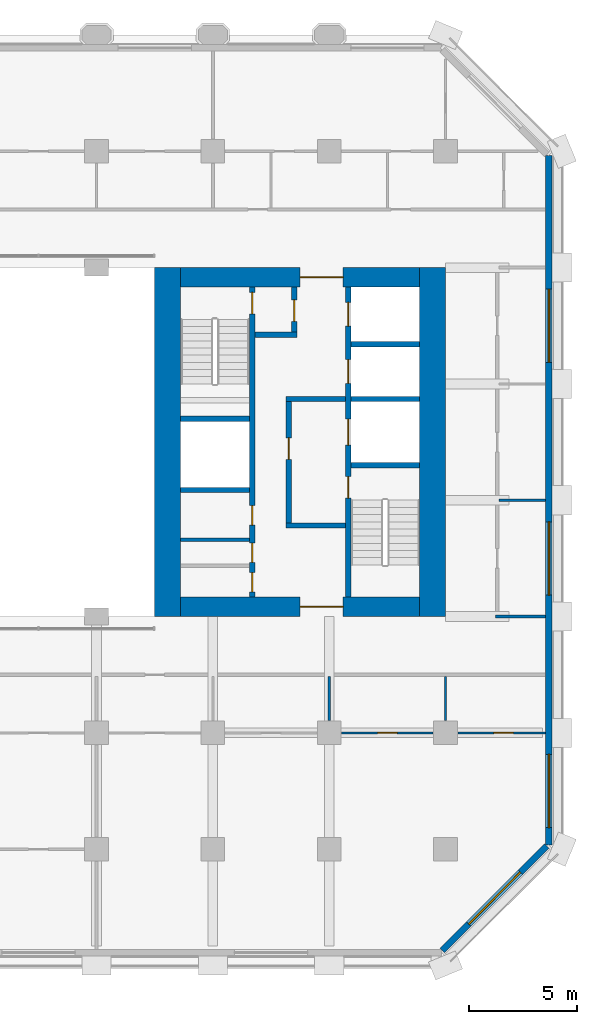
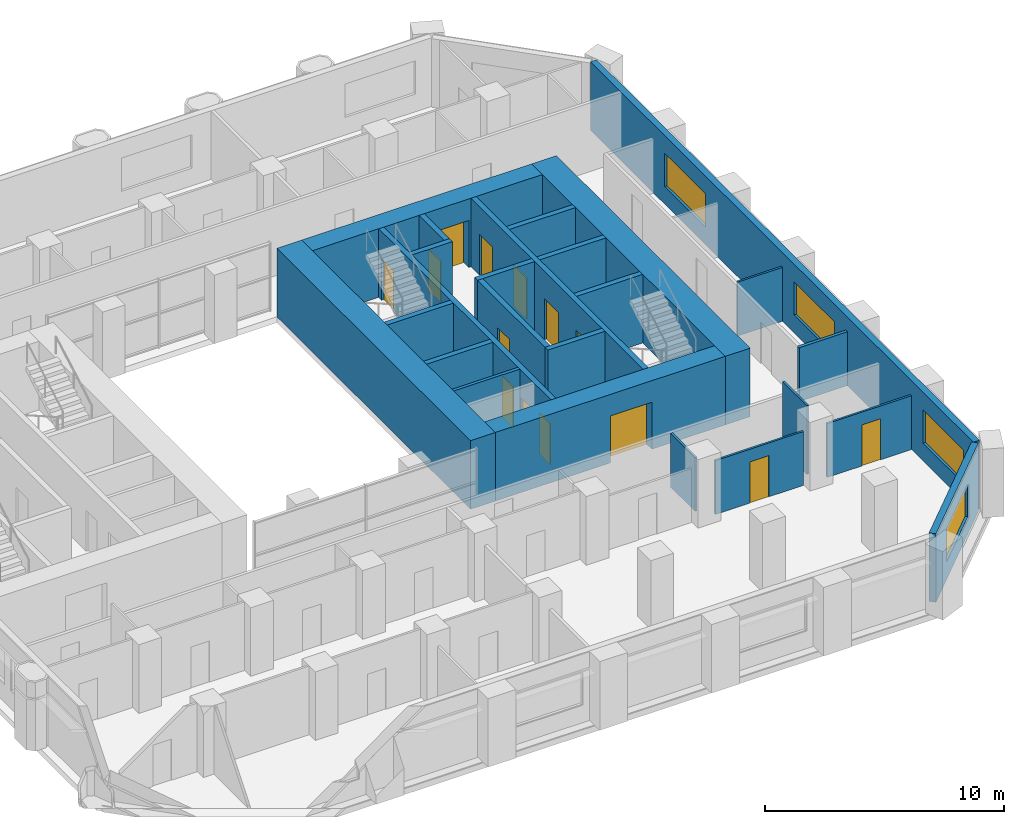
# One storey, part 9 of 13: 25 walls, 14 doors, 4 windows, 18 openings.
"""IFC4 building model written with IfcOpenShell, lengths in metres."""

from ifc_helpers import new_model, si_unit, direction, frame, frame_2d, origin, place, context, subcontext, project, spatial, rectangle, extrude, material, layer, layer_set, type_object, element, fill, save


model = new_model("IFC4")

# Units and contexts
model_context = context("Model", 3, precision=1e-05, world=origin(), true_north=direction((0.0, 1.0)))
body_context = subcontext(model_context, "Body", "Model", "MODEL_VIEW")
ifc_project = project(units=[si_unit("LENGTHUNIT", "METRE"), si_unit("AREAUNIT", "SQUARE_METRE"), si_unit("VOLUMEUNIT", "CUBIC_METRE"), si_unit("PLANEANGLEUNIT", "RADIAN"), si_unit("MASSUNIT", "GRAM", prefix="KILO")], contexts=[model_context])

# Site, building, storey
site_placement = place(None, origin())
site = spatial("IfcSite", under=ifc_project, at=site_placement, CompositionType="ELEMENT")
building_placement = place(site_placement, origin())
building = spatial("IfcBuilding", under=site, at=building_placement, Name="Tabaq Tower and Sports Hall", CompositionType="ELEMENT")
storey_placement = place(building_placement, frame((0.0, 0.0, 48.800048828125)))
storey = spatial("IfcBuildingStorey", under=building, at=storey_placement, Name="L10", CompositionType="ELEMENT", Elevation=48.800048828125)

# Walls
ifc_material_1 = material(Name="Blockwork", Category="masonry")
ifc_layer_1 = layer(ifc_material_1, 0.14990234375)
ifc_layer_set_1 = layer_set([ifc_layer_1], Name="Core room partition 150 Blockwork")
wall_type_1 = type_object("IfcWallType", Name="Core room partition 150 Blockwork", PredefinedType="PARTITIONING", material=ifc_layer_set_1)
wall_1_placement = place(storey_placement, frame((30.89990234375, 19.76708984375, 0.0), z_axis=(0.0, 0.0, 1.0), x_axis=(1.0, 0.0, 0.0)))
element("IfcWall", 1, at=wall_1_placement, inside=storey, type_object=wall_type_1, Name="Core room partition E L10", PredefinedType="PARTITIONING", context=body_context, shape_type="SweptSolid", body=[
    extrude(rectangle(XDim=3.2001953125, YDim=0.14990234375, at=frame_2d((1.60009765625, 0.0))), origin(), (0.0, 0.0, 1.0), 3.5),
])
ifc_material_2 = material(Name="Concrete C60/75", Category="concrete")
ifc_layer_2 = layer(ifc_material_2, 1.199951171875)
ifc_layer_set_2 = layer_set([ifc_layer_2], Name="Core wall 1200 Concrete C60/75")
wall_type_2 = type_object("IfcWallType", Name="Core wall 1200 Concrete C60/75", PredefinedType="SOLIDWALL", material=ifc_layer_set_2)
for number, where, z_axis, x_axis, name in (
    (2, (42.60009765625, 32.39990234375, 0.0), (0.0, 0.0, 1.0), (0.0, -1.0, 0.0), "Core wall E L10"),
    (3, (30.300048828125, 16.199951171875, 0.0), (0.0, 0.0, 1.0), (0.0, 1.0, 0.0), "Core wall E L10"),
):
    element("IfcWall", number, at=place(storey_placement, frame(where, z_axis=z_axis, x_axis=x_axis)), inside=storey, type_object=wall_type_2, Name=name, PredefinedType="SOLIDWALL", context=body_context, shape_type="SweptSolid", body=[
        extrude(rectangle(XDim=16.199951171875, YDim=1.199951171875, at=frame_2d((8.10009765625, 0.0))), origin(), (0.0, 0.0, 1.0), 3.5),
    ])

# Wall, opening, door
ifc_material_3 = material(Name="Concrete C60/75", Category="concrete")
ifc_layer_3 = layer(ifc_material_3, 0.89990234375)
ifc_layer_set_3 = layer_set([ifc_layer_3], Name="Core wall 900 Concrete C60/75")
wall_type_3 = type_object("IfcWallType", Name="Core wall 900 Concrete C60/75", PredefinedType="SOLIDWALL", material=ifc_layer_set_3)
wall_2_placement = place(storey_placement, frame((42.0, 16.64990234375, 0.0), z_axis=(0.0, 0.0, 1.0), x_axis=(-1.0, 0.0, 0.0)))
wall_2 = element("IfcWall", 4, at=wall_2_placement, inside=storey, type_object=wall_type_3, Name="Core wall E L10", PredefinedType="SOLIDWALL", context=body_context, shape_type="SweptSolid", body=[
    extrude(rectangle(XDim=11.10009765625, YDim=0.89990234375, at=frame_2d((5.550048828125, 0.0))), origin(), (0.0, 0.0, 1.0), 3.5),
])
opening_1_placement = place(wall_2_placement, frame((3.550048828125, 0.0, 0.0)))
opening_1 = element("IfcOpeningElement", 5, at=opening_1_placement, cuts=wall_2, Name="Opening PD-EL10-01", PredefinedType="OPENING", context=body_context, shape_type="SweptSolid", body=[
    extrude(rectangle(XDim=2.0, YDim=2.39990234375, at=frame_2d((1.0, 1.199951171875))), frame((0.0, 0.449951171875, 0.0), z_axis=(0.0, -1.0, 0.0), x_axis=(1.0, 0.0, 0.0)), (0.0, 0.0, 1.0), 0.89990234375),
])
ifc_material_4 = material(Name="Steel fire door", Category="steel")
door_type_1 = type_object("IfcDoorType", Name="Core entrance door 2000", OperationType="DOUBLE_DOOR_SINGLE_SWING", PredefinedType="DOOR", material=ifc_material_4)
door_1_placement = place(opening_1_placement, origin())
door_1 = element("IfcDoor", 6, at=door_1_placement, inside=storey, type_object=door_type_1, Name="Core entrance south E L10", OperationType="DOUBLE_DOOR_SINGLE_SWING", OverallHeight=2.39990234375, OverallWidth=2.0, PredefinedType="DOOR", context=body_context, shape_type="SweptSolid", body=[
    extrude(rectangle(XDim=2.0, YDim=2.39990234375, at=frame_2d((1.0, 1.199951171875))), frame((0.0, 0.02490234375, 0.0), z_axis=(0.0, -1.0, 0.0), x_axis=(1.0, 0.0, 0.0)), (0.0, 0.0, 1.0), 0.050048828125),
])
fill(opening_1, door_1)

wall_3_placement = place(storey_placement, frame((30.89990234375, 31.949951171875, 0.0), z_axis=(0.0, 0.0, 1.0), x_axis=(1.0, 0.0, 0.0)))
wall_3 = element("IfcWall", 7, at=wall_3_placement, inside=storey, type_object=wall_type_3, Name="Core wall E L10", PredefinedType="SOLIDWALL", context=body_context, shape_type="SweptSolid", body=[
    extrude(rectangle(XDim=11.10009765625, YDim=0.89990234375, at=frame_2d((5.550048828125, 0.0))), origin(), (0.0, 0.0, 1.0), 3.5),
])
opening_2_placement = place(wall_3_placement, frame((5.550048828125, 0.0, 0.0)))
opening_2 = element("IfcOpeningElement", 8, at=opening_2_placement, cuts=wall_3, Name="Opening PD-EL10-02", PredefinedType="OPENING", context=body_context, shape_type="SweptSolid", body=[
    extrude(rectangle(XDim=2.0, YDim=2.39990234375, at=frame_2d((1.0, 1.199951171875))), frame((0.0, 0.449951171875, 0.0), z_axis=(0.0, -1.0, 0.0), x_axis=(1.0, 0.0, 0.0)), (0.0, 0.0, 1.0), 0.89990234375),
])
door_2_placement = place(opening_2_placement, origin())
door_2 = element("IfcDoor", 9, at=door_2_placement, inside=storey, type_object=door_type_1, Name="Core entrance north E L10", OperationType="DOUBLE_DOOR_SINGLE_SWING", OverallHeight=2.39990234375, OverallWidth=2.0, PredefinedType="DOOR", context=body_context, shape_type="SweptSolid", body=[
    extrude(rectangle(XDim=2.0, YDim=2.39990234375, at=frame_2d((1.0, 1.199951171875))), frame((0.0, 0.02490234375, 0.0), z_axis=(0.0, -1.0, 0.0), x_axis=(1.0, 0.0, 0.0)), (0.0, 0.0, 1.0), 0.050048828125),
])
fill(opening_2, door_2)

# Wall
ifc_material_5 = material(Name="Gypsum board on steel studs", Category="steel")
ifc_layer_4 = layer(ifc_material_5, 0.10009765625)
ifc_layer_set_4 = layer_set([ifc_layer_4], Name="Partition 100 Gypsum board")
wall_type_4 = type_object("IfcWallType", Name="Partition 100 Gypsum board", PredefinedType="PARTITIONING", material=ifc_layer_set_4)
wall_4_placement = place(storey_placement, frame((37.800048828125, 11.3701171875, 0.0), z_axis=(0.0, 0.0, 1.0), x_axis=(0.0, 1.0, 0.0)))
element("IfcWall", 10, at=wall_4_placement, inside=storey, type_object=wall_type_4, Name="Partition wall L10", PredefinedType="PARTITIONING", context=body_context, shape_type="SweptSolid", body=[
    extrude(rectangle(XDim=2.054931640625, YDim=0.10009765625, at=frame_2d((1.02734375, 0.0))), origin(), (0.0, 0.0, 1.0), 2.75),
])

# Wall, opening, door
wall_5_placement = place(storey_placement, frame((38.3701171875, 10.800048828125, 0.0), z_axis=(0.0, 0.0, 1.0), x_axis=(1.0, 0.0, 0.0)))
wall_5 = element("IfcWall", 11, at=wall_5_placement, inside=storey, type_object=wall_type_4, Name="Partition wall L10", PredefinedType="PARTITIONING", context=body_context, shape_type="SweptSolid", body=[
    extrude(rectangle(XDim=4.259765625, YDim=0.10009765625, at=frame_2d((2.1298828125, 0.0))), origin(), (0.0, 0.0, 1.0), 2.75),
])
opening_3_placement = place(wall_5_placement, frame((1.679931640625, 0.0, 0.0)))
opening_3 = element("IfcOpeningElement", 12, at=opening_3_placement, cuts=wall_5, Name="Opening L10-020", PredefinedType="OPENING", context=body_context, shape_type="SweptSolid", body=[
    extrude(rectangle(XDim=0.89990234375, YDim=2.10009765625, at=frame_2d((0.449951171875, 1.050048828125))), frame((0.0, 0.050048828125, 0.0), z_axis=(0.0, -1.0, 0.0), x_axis=(1.0, 0.0, 0.0)), (0.0, 0.0, 1.0), 0.10009765625),
])
ifc_material_6 = material(Name="Timber leaf in steel frame", Category="steel")
door_type_2 = type_object("IfcDoorType", Name="Internal door 900 right hand", OperationType="SINGLE_SWING_RIGHT", PredefinedType="DOOR", material=ifc_material_6)
door_3_placement = place(opening_3_placement, origin())
door_3 = element("IfcDoor", 13, at=door_3_placement, inside=storey, type_object=door_type_2, Name="Internal door L10-020", OperationType="SINGLE_SWING_RIGHT", OverallHeight=2.10009765625, OverallWidth=0.89990234375, PredefinedType="DOOR", context=body_context, shape_type="SweptSolid", body=[
    extrude(rectangle(XDim=0.89990234375, YDim=2.10009765625, at=frame_2d((0.449951171875, 1.050048828125))), frame((0.0, 0.02490234375, 0.0), z_axis=(0.0, -1.0, 0.0), x_axis=(1.0, 0.0, 0.0)), (0.0, 0.0, 1.0), 0.050048828125),
])
fill(opening_3, door_3)

# Wall
wall_6_placement = place(storey_placement, frame((43.199951171875, 11.3701171875, 0.0), z_axis=(0.0, 0.0, 1.0), x_axis=(0.0, 1.0, 0.0)))
element("IfcWall", 14, at=wall_6_placement, inside=storey, type_object=wall_type_4, Name="Partition wall L10", PredefinedType="PARTITIONING", context=body_context, shape_type="SweptSolid", body=[
    extrude(rectangle(XDim=2.054931640625, YDim=0.10009765625, at=frame_2d((1.02734375, 0.0))), origin(), (0.0, 0.0, 1.0), 3.5),
])

# Wall, opening, door
wall_7_placement = place(storey_placement, frame((43.77001953125, 10.800048828125, 0.0), z_axis=(0.0, 0.0, 1.0), x_axis=(1.0, 0.0, 0.0)))
wall_7 = element("IfcWall", 15, at=wall_7_placement, inside=storey, type_object=wall_type_4, Name="Partition wall L10", PredefinedType="PARTITIONING", context=body_context, shape_type="SweptSolid", body=[
    extrude(rectangle(XDim=4.0791015625, YDim=0.10009765625, at=frame_2d((2.03955078125, 0.0))), origin(), (0.0, 0.0, 1.0), 2.75),
])
opening_4_placement = place(wall_7_placement, frame((1.679931640625, 0.0, 0.0)))
opening_4 = element("IfcOpeningElement", 16, at=opening_4_placement, cuts=wall_7, Name="Opening L10-021", PredefinedType="OPENING", context=body_context, shape_type="SweptSolid", body=[
    extrude(rectangle(XDim=0.89990234375, YDim=2.10009765625, at=frame_2d((0.449951171875, 1.050048828125))), frame((0.0, 0.050048828125, 0.0), z_axis=(0.0, -1.0, 0.0), x_axis=(1.0, 0.0, 0.0)), (0.0, 0.0, 1.0), 0.10009765625),
])
ifc_material_7 = material(Name="Timber leaf in steel frame", Category="steel")
door_type_3 = type_object("IfcDoorType", Name="Internal door 900 left hand", OperationType="SINGLE_SWING_LEFT", PredefinedType="DOOR", material=ifc_material_7)
door_4_placement = place(opening_4_placement, origin())
door_4 = element("IfcDoor", 17, at=door_4_placement, inside=storey, type_object=door_type_3, Name="Internal door L10-021", OperationType="SINGLE_SWING_LEFT", OverallHeight=2.10009765625, OverallWidth=0.89990234375, PredefinedType="DOOR", context=body_context, shape_type="SweptSolid", body=[
    extrude(rectangle(XDim=0.89990234375, YDim=2.10009765625, at=frame_2d((0.449951171875, 1.050048828125))), frame((0.0, 0.02490234375, 0.0), z_axis=(0.0, -1.0, 0.0), x_axis=(1.0, 0.0, 0.0)), (0.0, 0.0, 1.0), 0.050048828125),
])
fill(opening_4, door_4)

# Walls
wall_8_placement = place(storey_placement, frame((47.84912109375, 21.60009765625, 0.0), z_axis=(0.0, 0.0, 1.0), x_axis=(-1.0, 0.0, 0.0)))
element("IfcWall", 18, at=wall_8_placement, inside=storey, type_object=wall_type_4, Name="Partition wall L10", PredefinedType="PARTITIONING", context=body_context, shape_type="SweptSolid", body=[
    extrude(rectangle(XDim=2.174072265625, YDim=0.10009765625, at=frame_2d((1.0869140625, 0.0))), origin(), (0.0, 0.0, 1.0), 2.75),
])
ifc_material_8 = material(Name="Blockwork", Category="masonry")
ifc_layer_5 = layer(ifc_material_8, 0.14990234375)
ifc_layer_set_5 = layer_set([ifc_layer_5], Name="Separating wall 150 Blockwork")
wall_type_5 = type_object("IfcWallType", Name="Separating wall 150 Blockwork", PredefinedType="PARTITIONING", material=ifc_layer_set_5)
wall_9_placement = place(storey_placement, frame((47.84912109375, 16.199951171875, 0.0), z_axis=(0.0, 0.0, 1.0), x_axis=(-1.0, 0.0, 0.0)))
element("IfcWall", 19, at=wall_9_placement, inside=storey, type_object=wall_type_5, Name="Separating wall L10", PredefinedType="PARTITIONING", context=body_context, shape_type="SweptSolid", body=[
    extrude(rectangle(XDim=2.32421875, YDim=0.14990234375, at=frame_2d((1.162109375, 0.0))), origin(), (0.0, 0.0, 1.0), 2.75),
])

# Wall, openings, doors
ifc_material_9 = material(Name="Concrete C40/50", Category="concrete")
ifc_layer_6 = layer(ifc_material_9, 0.25)
ifc_layer_set_6 = layer_set([ifc_layer_6], Name="Shaft and stair wall 250 Concrete C40/50")
wall_type_6 = type_object("IfcWallType", Name="Shaft and stair wall 250 Concrete C40/50", PredefinedType="SOLIDWALL", material=ifc_layer_set_6)
wall_10_placement = place(storey_placement, frame((38.675048828125, 17.10009765625, 0.0), z_axis=(0.0, 0.0, 1.0), x_axis=(0.0, 1.0, 0.0)))
wall_10 = element("IfcWall", 20, at=wall_10_placement, inside=storey, type_object=wall_type_6, Name="Shaft wall E L10", PredefinedType="SOLIDWALL", context=body_context, shape_type="SweptSolid", body=[
    extrude(rectangle(XDim=14.39990234375, YDim=0.25, at=frame_2d((7.199951171875, 0.0))), origin(), (0.0, 0.0, 1.0), 3.5),
])
opening_5_placement = place(wall_10_placement, frame((4.60009765625, 0.0, 0.0)))
opening_5 = element("IfcOpeningElement", 21, at=opening_5_placement, cuts=wall_10, Name="Opening SD-EL10-03", PredefinedType="OPENING", context=body_context, shape_type="SweptSolid", body=[
    extrude(rectangle(XDim=1.0, YDim=2.10009765625, at=frame_2d((0.5, 1.050048828125))), frame((0.0, 0.125, 0.0), z_axis=(0.0, -1.0, 0.0), x_axis=(1.0, 0.0, 0.0)), (0.0, 0.0, 1.0), 0.25),
])
opening_6_placement = place(wall_10_placement, frame((7.0625, 0.0, 0.0)))
opening_6 = element("IfcOpeningElement", 22, at=opening_6_placement, cuts=wall_10, Name="Opening LD-FF2-L10", PredefinedType="OPENING", context=body_context, shape_type="SweptSolid", body=[
    extrude(rectangle(XDim=1.199951171875, YDim=2.10009765625, at=frame_2d((0.60009765625, 1.050048828125))), frame((0.0, 0.125, 0.0), z_axis=(0.0, -1.0, 0.0), x_axis=(1.0, 0.0, 0.0)), (0.0, 0.0, 1.0), 0.25),
])
opening_7_placement = place(wall_10_placement, frame((9.925048828125, 0.0, 0.0)))
opening_7 = element("IfcOpeningElement", 23, at=opening_7_placement, cuts=wall_10, Name="Opening LD-LR3-L10", PredefinedType="OPENING", context=body_context, shape_type="SweptSolid", body=[
    extrude(rectangle(XDim=1.10009765625, YDim=2.10009765625, at=frame_2d((0.550048828125, 1.050048828125))), frame((0.0, 0.125, 0.0), z_axis=(0.0, -1.0, 0.0), x_axis=(1.0, 0.0, 0.0)), (0.0, 0.0, 1.0), 0.25),
])
opening_8_placement = place(wall_10_placement, frame((12.58740234375, 0.0, 0.0)))
opening_8 = element("IfcOpeningElement", 24, at=opening_8_placement, cuts=wall_10, Name="Opening LD-LR4-L10", PredefinedType="OPENING", context=body_context, shape_type="SweptSolid", body=[
    extrude(rectangle(XDim=1.10009765625, YDim=2.10009765625, at=frame_2d((0.550048828125, 1.050048828125))), frame((0.0, 0.125, 0.0), z_axis=(0.0, -1.0, 0.0), x_axis=(1.0, 0.0, 0.0)), (0.0, 0.0, 1.0), 0.25),
])
ifc_material_10 = material(Name="Stainless steel", Category="steel")
door_type_4 = type_object("IfcDoorType", Name="Lift landing door 1100", OperationType="DOUBLE_DOOR_SLIDING", PredefinedType="DOOR", material=ifc_material_10)
door_5_placement = place(opening_7_placement, origin())
door_5 = element("IfcDoor", 25, at=door_5_placement, inside=storey, type_object=door_type_4, Name="Lift landing door LR3 E L10", OperationType="DOUBLE_DOOR_SLIDING", OverallHeight=2.10009765625, OverallWidth=1.10009765625, PredefinedType="DOOR", context=body_context, shape_type="SweptSolid", body=[
    extrude(rectangle(XDim=1.10009765625, YDim=2.10009765625, at=frame_2d((0.550048828125, 1.050048828125))), frame((0.0, 0.02490234375, 0.0), z_axis=(0.0, -1.0, 0.0), x_axis=(1.0, 0.0, 0.0)), (0.0, 0.0, 1.0), 0.050048828125),
])
fill(opening_7, door_5)
door_6_placement = place(opening_8_placement, origin())
door_6 = element("IfcDoor", 26, at=door_6_placement, inside=storey, type_object=door_type_4, Name="Lift landing door LR4 E L10", OperationType="DOUBLE_DOOR_SLIDING", OverallHeight=2.10009765625, OverallWidth=1.10009765625, PredefinedType="DOOR", context=body_context, shape_type="SweptSolid", body=[
    extrude(rectangle(XDim=1.10009765625, YDim=2.10009765625, at=frame_2d((0.550048828125, 1.050048828125))), frame((0.0, 0.02490234375, 0.0), z_axis=(0.0, -1.0, 0.0), x_axis=(1.0, 0.0, 0.0)), (0.0, 0.0, 1.0), 0.050048828125),
])
fill(opening_8, door_6)
ifc_material_11 = material(Name="Stainless steel", Category="steel")
door_type_5 = type_object("IfcDoorType", Name="Lift landing door 1200", OperationType="DOUBLE_DOOR_SLIDING", PredefinedType="DOOR", material=ifc_material_11)
door_7_placement = place(opening_6_placement, origin())
door_7 = element("IfcDoor", 27, at=door_7_placement, inside=storey, type_object=door_type_5, Name="Lift landing door FF2 E L10", OperationType="DOUBLE_DOOR_SLIDING", OverallHeight=2.10009765625, OverallWidth=1.199951171875, PredefinedType="DOOR", context=body_context, shape_type="SweptSolid", body=[
    extrude(rectangle(XDim=1.199951171875, YDim=2.10009765625, at=frame_2d((0.60009765625, 1.050048828125))), frame((0.0, 0.02490234375, 0.0), z_axis=(0.0, -1.0, 0.0), x_axis=(1.0, 0.0, 0.0)), (0.0, 0.0, 1.0), 0.050048828125),
])
fill(opening_6, door_7)
ifc_material_12 = material(Name="Steel fire door", Category="steel")
door_type_6 = type_object("IfcDoorType", Name="Stair door 1000", OperationType="SINGLE_SWING_LEFT", PredefinedType="DOOR", material=ifc_material_12)
door_8_placement = place(opening_5_placement, origin())
door_8 = element("IfcDoor", 28, at=door_8_placement, inside=storey, type_object=door_type_6, Name="Stair door ST3 E L10", OperationType="SINGLE_SWING_LEFT", OverallHeight=2.10009765625, OverallWidth=1.0, PredefinedType="DOOR", context=body_context, shape_type="SweptSolid", body=[
    extrude(rectangle(XDim=1.0, YDim=2.10009765625, at=frame_2d((0.5, 1.050048828125))), frame((0.0, 0.02490234375, 0.0), z_axis=(0.0, -1.0, 0.0), x_axis=(1.0, 0.0, 0.0)), (0.0, 0.0, 1.0), 0.050048828125),
])
fill(opening_5, door_8)

wall_11_placement = place(storey_placement, frame((34.22509765625, 17.10009765625, 0.0), z_axis=(0.0, 0.0, 1.0), x_axis=(0.0, 1.0, 0.0)))
wall_11 = element("IfcWall", 29, at=wall_11_placement, inside=storey, type_object=wall_type_6, Name="Shaft wall E L10", PredefinedType="SOLIDWALL", context=body_context, shape_type="SweptSolid", body=[
    extrude(rectangle(XDim=14.39990234375, YDim=0.25, at=frame_2d((7.199951171875, 0.0))), origin(), (0.0, 0.0, 1.0), 3.5),
])
opening_9_placement = place(wall_11_placement, frame((13.14990234375, 0.0, 0.0)))
opening_9 = element("IfcOpeningElement", 30, at=opening_9_placement, cuts=wall_11, Name="Opening SD-EL10-05", PredefinedType="OPENING", context=body_context, shape_type="SweptSolid", body=[
    extrude(rectangle(XDim=1.0, YDim=2.10009765625, at=frame_2d((0.5, 1.050048828125))), frame((0.0, 0.125, 0.0), z_axis=(0.0, -1.0, 0.0), x_axis=(1.0, 0.0, 0.0)), (0.0, 0.0, 1.0), 0.25),
])
opening_10_placement = place(wall_11_placement, frame((0.239990234375, 0.0, 0.0)))
opening_10 = element("IfcOpeningElement", 31, at=opening_10_placement, cuts=wall_11, Name="Opening RD-EL10-10", PredefinedType="OPENING", context=body_context, shape_type="SweptSolid", body=[
    extrude(rectangle(XDim=0.89990234375, YDim=2.10009765625, at=frame_2d((0.449951171875, 1.050048828125))), frame((0.0, 0.125, 0.0), z_axis=(0.0, -1.0, 0.0), x_axis=(1.0, 0.0, 0.0)), (0.0, 0.0, 1.0), 0.25),
])
opening_11_placement = place(wall_11_placement, frame((1.611083984375, 0.0, 0.0)))
opening_11 = element("IfcOpeningElement", 32, at=opening_11_placement, cuts=wall_11, Name="Opening RD-EL10-11", PredefinedType="OPENING", context=body_context, shape_type="SweptSolid", body=[
    extrude(rectangle(XDim=0.89990234375, YDim=2.10009765625, at=frame_2d((0.449951171875, 1.050048828125))), frame((0.0, 0.125, 0.0), z_axis=(0.0, -1.0, 0.0), x_axis=(1.0, 0.0, 0.0)), (0.0, 0.0, 1.0), 0.25),
])
opening_12_placement = place(wall_11_placement, frame((3.345947265625, 0.0, 0.0)))
opening_12 = element("IfcOpeningElement", 33, at=opening_12_placement, cuts=wall_11, Name="Opening RD-EL10-12", PredefinedType="OPENING", context=body_context, shape_type="SweptSolid", body=[
    extrude(rectangle(XDim=0.89990234375, YDim=2.10009765625, at=frame_2d((0.449951171875, 1.050048828125))), frame((0.0, 0.125, 0.0), z_axis=(0.0, -1.0, 0.0), x_axis=(1.0, 0.0, 0.0)), (0.0, 0.0, 1.0), 0.25),
])
ifc_material_13 = material(Name="Steel fire door", Category="steel")
door_type_7 = type_object("IfcDoorType", Name="Core room door 900", OperationType="SINGLE_SWING_LEFT", PredefinedType="DOOR", material=ifc_material_13)
door_9_placement = place(opening_10_placement, origin())
door_9 = element("IfcDoor", 34, at=door_9_placement, inside=storey, type_object=door_type_7, Name="Door Accessible WC E L10", OperationType="SINGLE_SWING_LEFT", OverallHeight=2.10009765625, OverallWidth=0.89990234375, PredefinedType="DOOR", context=body_context, shape_type="SweptSolid", body=[
    extrude(rectangle(XDim=0.89990234375, YDim=2.10009765625, at=frame_2d((0.449951171875, 1.050048828125))), frame((0.0, 0.02490234375, 0.0), z_axis=(0.0, -1.0, 0.0), x_axis=(1.0, 0.0, 0.0)), (0.0, 0.0, 1.0), 0.050048828125),
])
fill(opening_10, door_9)
door_10_placement = place(opening_11_placement, origin())
door_10 = element("IfcDoor", 35, at=door_10_placement, inside=storey, type_object=door_type_7, Name="Door Electrical Riser Room E L10", OperationType="SINGLE_SWING_LEFT", OverallHeight=2.10009765625, OverallWidth=0.89990234375, PredefinedType="DOOR", context=body_context, shape_type="SweptSolid", body=[
    extrude(rectangle(XDim=0.89990234375, YDim=2.10009765625, at=frame_2d((0.449951171875, 1.050048828125))), frame((0.0, 0.02490234375, 0.0), z_axis=(0.0, -1.0, 0.0), x_axis=(1.0, 0.0, 0.0)), (0.0, 0.0, 1.0), 0.050048828125),
])
fill(opening_11, door_10)
door_11_placement = place(opening_12_placement, origin())
door_11 = element("IfcDoor", 36, at=door_11_placement, inside=storey, type_object=door_type_7, Name="Door Unisex WC E L10", OperationType="SINGLE_SWING_LEFT", OverallHeight=2.10009765625, OverallWidth=0.89990234375, PredefinedType="DOOR", context=body_context, shape_type="SweptSolid", body=[
    extrude(rectangle(XDim=0.89990234375, YDim=2.10009765625, at=frame_2d((0.449951171875, 1.050048828125))), frame((0.0, 0.02490234375, 0.0), z_axis=(0.0, -1.0, 0.0), x_axis=(1.0, 0.0, 0.0)), (0.0, 0.0, 1.0), 0.050048828125),
])
fill(opening_12, door_11)
door_12_placement = place(opening_9_placement, origin())
door_12 = element("IfcDoor", 37, at=door_12_placement, inside=storey, type_object=door_type_6, Name="Stair door ST4 E L10", OperationType="SINGLE_SWING_LEFT", OverallHeight=2.10009765625, OverallWidth=1.0, PredefinedType="DOOR", context=body_context, shape_type="SweptSolid", body=[
    extrude(rectangle(XDim=1.0, YDim=2.10009765625, at=frame_2d((0.5, 1.050048828125))), frame((0.0, 0.02490234375, 0.0), z_axis=(0.0, -1.0, 0.0), x_axis=(1.0, 0.0, 0.0)), (0.0, 0.0, 1.0), 0.050048828125),
])
fill(opening_9, door_12)

# Walls
wall_12_placement = place(storey_placement, frame((38.800048828125, 23.22509765625, 0.0), z_axis=(0.0, 0.0, 1.0), x_axis=(1.0, 0.0, 0.0)))
element("IfcWall", 38, at=wall_12_placement, inside=storey, type_object=wall_type_6, Name="Stair enclosure wall E L10", PredefinedType="SOLIDWALL", context=body_context, shape_type="SweptSolid", body=[
    extrude(rectangle(XDim=3.199951171875, YDim=0.25, at=frame_2d((1.60009765625, 0.0))), origin(), (0.0, 0.0, 1.0), 3.5),
])
for number, where, z_axis, x_axis, name in (
    (39, (30.89990234375, 25.375, 0.0), (0.0, 0.0, 1.0), (1.0, 0.0, 0.0), "Stair enclosure wall E L10"),
    (40, (30.89990234375, 22.074951171875, 0.0), (0.0, 0.0, 1.0), (1.0, 0.0, 0.0), "Shaft wall E L10"),
):
    element("IfcWall", number, at=place(storey_placement, frame(where, z_axis=z_axis, x_axis=x_axis)), inside=storey, type_object=wall_type_6, Name=name, PredefinedType="SOLIDWALL", context=body_context, shape_type="SweptSolid", body=[
        extrude(rectangle(XDim=3.2001953125, YDim=0.25, at=frame_2d((1.60009765625, 0.0))), origin(), (0.0, 0.0, 1.0), 3.5),
    ])
wall_13_placement = place(storey_placement, frame((38.800048828125, 26.300048828125, 0.0), z_axis=(0.0, 0.0, 1.0), x_axis=(1.0, 0.0, 0.0)))
element("IfcWall", 41, at=wall_13_placement, inside=storey, type_object=wall_type_6, Name="Shaft wall E L10", PredefinedType="SOLIDWALL", context=body_context, shape_type="SweptSolid", body=[
    extrude(rectangle(XDim=3.199951171875, YDim=0.25, at=frame_2d((1.60009765625, 0.0))), origin(), (0.0, 0.0, 1.0), 3.5),
])
for number, where, z_axis, x_axis, name in (
    (42, (35.800048828125, 26.300048828125, 0.0), (0.0, 0.0, 1.0), (1.0, 0.0, 0.0), "Fire-fighting lobby wall E L10"),
    (43, (35.800048828125, 20.425048828125, 0.0), (0.0, 0.0, 1.0), (1.0, 0.0, 0.0), "Fire-fighting lobby wall E L10"),
):
    element("IfcWall", number, at=place(storey_placement, frame(where, z_axis=z_axis, x_axis=x_axis)), inside=storey, type_object=wall_type_6, Name=name, PredefinedType="SOLIDWALL", context=body_context, shape_type="SweptSolid", body=[
        extrude(rectangle(XDim=2.75, YDim=0.25, at=frame_2d((1.375, 0.0))), origin(), (0.0, 0.0, 1.0), 3.5),
    ])

# Wall, opening, door
wall_14_placement = place(storey_placement, frame((36.175048828125, 29.39990234375, 0.0), z_axis=(0.0, 0.0, 1.0), x_axis=(0.0, 1.0, 0.0)))
wall_14 = element("IfcWall", 44, at=wall_14_placement, inside=storey, type_object=wall_type_6, Name="Fire-fighting lobby wall E L10", PredefinedType="SOLIDWALL", context=body_context, shape_type="SweptSolid", body=[
    extrude(rectangle(XDim=2.10009765625, YDim=0.25, at=frame_2d((1.050048828125, 0.0))), origin(), (0.0, 0.0, 1.0), 3.5),
])
opening_13_placement = place(wall_14_placement, frame((0.5, 0.0, 0.0)))
opening_13 = element("IfcOpeningElement", 45, at=opening_13_placement, cuts=wall_14, Name="Opening FD-EL10-06", PredefinedType="OPENING", context=body_context, shape_type="SweptSolid", body=[
    extrude(rectangle(XDim=1.0, YDim=2.10009765625, at=frame_2d((0.5, 1.050048828125))), frame((0.0, 0.125, 0.0), z_axis=(0.0, -1.0, 0.0), x_axis=(1.0, 0.0, 0.0)), (0.0, 0.0, 1.0), 0.25),
])
ifc_material_14 = material(Name="Steel fire door", Category="steel")
door_type_8 = type_object("IfcDoorType", Name="Fire-fighting lobby door 1000", OperationType="SINGLE_SWING_LEFT", PredefinedType="DOOR", material=ifc_material_14)
door_13_placement = place(opening_13_placement, origin())
door_13 = element("IfcDoor", 46, at=door_13_placement, inside=storey, type_object=door_type_8, Name="Stair lobby door E L10", OperationType="SINGLE_SWING_LEFT", OverallHeight=2.10009765625, OverallWidth=1.0, PredefinedType="DOOR", context=body_context, shape_type="SweptSolid", body=[
    extrude(rectangle(XDim=1.0, YDim=2.10009765625, at=frame_2d((0.5, 1.050048828125))), frame((0.0, 0.02490234375, 0.0), z_axis=(0.0, -1.0, 0.0), x_axis=(1.0, 0.0, 0.0)), (0.0, 0.0, 1.0), 0.050048828125),
])
fill(opening_13, door_13)

# Wall
wall_15_placement = place(storey_placement, frame((34.35009765625, 29.27490234375, 0.0), z_axis=(0.0, 0.0, 1.0), x_axis=(1.0, 0.0, 0.0)))
element("IfcWall", 47, at=wall_15_placement, inside=storey, type_object=wall_type_6, Name="Fire-fighting lobby wall E L10", PredefinedType="SOLIDWALL", context=body_context, shape_type="SweptSolid", body=[
    extrude(rectangle(XDim=1.949951171875, YDim=0.25, at=frame_2d((0.97509765625, 0.0))), origin(), (0.0, 0.0, 1.0), 3.5),
])

# Wall, opening, door
wall_16_placement = place(storey_placement, frame((35.925048828125, 20.550048828125, 0.0), z_axis=(0.0, 0.0, 1.0), x_axis=(0.0, 1.0, 0.0)))
wall_16 = element("IfcWall", 48, at=wall_16_placement, inside=storey, type_object=wall_type_6, Name="Fire-fighting lobby wall E L10", PredefinedType="SOLIDWALL", context=body_context, shape_type="SweptSolid", body=[
    extrude(rectangle(XDim=5.625, YDim=0.25, at=frame_2d((2.8125, 0.0))), origin(), (0.0, 0.0, 1.0), 3.5),
])
opening_14_placement = place(wall_16_placement, frame((2.949951171875, 0.0, 0.0)))
opening_14 = element("IfcOpeningElement", 49, at=opening_14_placement, cuts=wall_16, Name="Opening FD-EL10-04", PredefinedType="OPENING", context=body_context, shape_type="SweptSolid", body=[
    extrude(rectangle(XDim=1.0, YDim=2.10009765625, at=frame_2d((0.5, 1.050048828125))), frame((0.0, 0.125, 0.0), z_axis=(0.0, -1.0, 0.0), x_axis=(1.0, 0.0, 0.0)), (0.0, 0.0, 1.0), 0.25),
])
door_14_placement = place(opening_14_placement, origin())
door_14 = element("IfcDoor", 50, at=door_14_placement, inside=storey, type_object=door_type_8, Name="Fire-fighting lobby door E L10", OperationType="SINGLE_SWING_LEFT", OverallHeight=2.10009765625, OverallWidth=1.0, PredefinedType="DOOR", context=body_context, shape_type="SweptSolid", body=[
    extrude(rectangle(XDim=1.0, YDim=2.10009765625, at=frame_2d((0.5, 1.050048828125))), frame((0.0, 0.02490234375, 0.0), z_axis=(0.0, -1.0, 0.0), x_axis=(1.0, 0.0, 0.0)), (0.0, 0.0, 1.0), 0.050048828125),
])
fill(opening_14, door_14)

# Wall
wall_17_placement = place(storey_placement, frame((38.800048828125, 28.85009765625, 0.0), z_axis=(0.0, 0.0, 1.0), x_axis=(1.0, 0.0, 0.0)))
element("IfcWall", 51, at=wall_17_placement, inside=storey, type_object=wall_type_6, Name="Shaft wall E L10", PredefinedType="SOLIDWALL", context=body_context, shape_type="SweptSolid", body=[
    extrude(rectangle(XDim=3.199951171875, YDim=0.25, at=frame_2d((1.60009765625, 0.0))), origin(), (0.0, 0.0, 1.0), 3.5),
])

# Wall, opening, window
ifc_material_15 = material(Name="White precast concrete C60/75", Category="concrete")
ifc_layer_7 = layer(ifc_material_15, 0.300048828125)
ifc_layer_set_7 = layer_set([ifc_layer_7], Name="White precast concrete C60/75 external wall 300")
wall_type_7 = type_object("IfcWallType", Name="White precast concrete C60/75 external wall 300", PredefinedType="SOLIDWALL", material=ifc_layer_set_7)
wall_18_placement = place(storey_placement, frame((43.050537109375, 0.698974609375, 0.0), z_axis=(0.0, 0.0, 1.0), x_axis=(0.707106781187, 0.707106781187, 0.0)))
wall_18 = element("IfcWall", 52, at=wall_18_placement, inside=storey, type_object=wall_type_7, Name="External Wall L10 SE", PredefinedType="SOLIDWALL", context=body_context, shape_type="SweptSolid", body=[
    extrude(rectangle(XDim=6.85986328125, YDim=0.300048828125, at=frame_2d((3.429931640625, 0.0))), origin(), (0.0, 0.0, 1.0), 3.5),
])
opening_15_placement = place(wall_18_placement, frame((1.729736328125, 0.0, 0.89990234375)))
opening_15 = element("IfcOpeningElement", 53, at=opening_15_placement, cuts=wall_18, Name="Opening W1A", PredefinedType="OPENING", context=body_context, shape_type="SweptSolid", body=[
    extrude(rectangle(XDim=3.39990234375, YDim=1.699951171875, at=frame_2d((1.699951171875, 0.85009765625))), frame((0.0, 0.16015625, 0.0), z_axis=(0.0, -1.0, 0.0), x_axis=(1.0, 0.0, 0.0)), (0.0, 0.0, 1.0), 0.320068359375),
])
ifc_material_16 = material(Name="Aluminium framed clear glazing", Category="aluminium")
window_type = type_object("IfcWindowType", Name="Window W1A", PartitioningType="SINGLE_PANEL", PredefinedType="WINDOW", material=ifc_material_16)
window_1_placement = place(opening_15_placement, origin())
window_1 = element("IfcWindow", 54, at=window_1_placement, inside=storey, type_object=window_type, Name="Window W1A L10", OverallHeight=1.699951171875, OverallWidth=3.39990234375, PartitioningType="SINGLE_PANEL", PredefinedType="WINDOW", context=body_context, shape_type="SweptSolid", body=[
    extrude(rectangle(XDim=3.39990234375, YDim=1.699951171875, at=frame_2d((1.699951171875, 0.85009765625))), frame((0.0, 0.030029296875, 0.0), z_axis=(0.0, -1.0, 0.0), x_axis=(1.0, 0.0, 0.0)), (0.0, 0.0, 1.0), 0.06005859375),
])
fill(opening_15, window_1)

# Wall, openings, windows
wall_19_placement = place(storey_placement, frame((48.0, 5.58642578125, 0.0), z_axis=(0.0, 0.0, 1.0), x_axis=(0.0, 1.0, 0.0)))
wall_19 = element("IfcWall", 55, at=wall_19_placement, inside=storey, type_object=wall_type_7, Name="External Wall L10 E", PredefinedType="SOLIDWALL", context=body_context, shape_type="SweptSolid", body=[
    extrude(rectangle(XDim=32.027099609375, YDim=0.300048828125, at=frame_2d((16.013671875, 0.0))), origin(), (0.0, 0.0, 1.0), 3.5),
])
opening_16_placement = place(wall_19_placement, frame((0.813720703125, 0.0, 0.89990234375)))
opening_16 = element("IfcOpeningElement", 56, at=opening_16_placement, cuts=wall_19, Name="Opening W1A", PredefinedType="OPENING", context=body_context, shape_type="SweptSolid", body=[
    extrude(rectangle(XDim=3.39990234375, YDim=1.699951171875, at=frame_2d((1.699951171875, 0.85009765625))), frame((0.0, 0.16015625, 0.0), z_axis=(0.0, -1.0, 0.0), x_axis=(1.0, 0.0, 0.0)), (0.0, 0.0, 1.0), 0.320068359375),
])
opening_17_placement = place(wall_19_placement, frame((11.613525390625, 0.0, 0.89990234375)))
opening_17 = element("IfcOpeningElement", 57, at=opening_17_placement, cuts=wall_19, Name="Opening W1A", PredefinedType="OPENING", context=body_context, shape_type="SweptSolid", body=[
    extrude(rectangle(XDim=3.39990234375, YDim=1.699951171875, at=frame_2d((1.699951171875, 0.85009765625))), frame((0.0, 0.16015625, 0.0), z_axis=(0.0, -1.0, 0.0), x_axis=(1.0, 0.0, 0.0)), (0.0, 0.0, 1.0), 0.320068359375),
])
opening_18_placement = place(wall_19_placement, frame((22.41357421875, 0.0, 0.89990234375)))
opening_18 = element("IfcOpeningElement", 58, at=opening_18_placement, cuts=wall_19, Name="Opening W1A", PredefinedType="OPENING", context=body_context, shape_type="SweptSolid", body=[
    extrude(rectangle(XDim=3.39990234375, YDim=1.699951171875, at=frame_2d((1.699951171875, 0.85009765625))), frame((0.0, 0.16015625, 0.0), z_axis=(0.0, -1.0, 0.0), x_axis=(1.0, 0.0, 0.0)), (0.0, 0.0, 1.0), 0.320068359375),
])
window_2_placement = place(opening_16_placement, origin())
window_2 = element("IfcWindow", 59, at=window_2_placement, inside=storey, type_object=window_type, Name="Window W1A L10", OverallHeight=1.699951171875, OverallWidth=3.39990234375, PartitioningType="SINGLE_PANEL", PredefinedType="WINDOW", context=body_context, shape_type="SweptSolid", body=[
    extrude(rectangle(XDim=3.39990234375, YDim=1.699951171875, at=frame_2d((1.699951171875, 0.85009765625))), frame((0.0, 0.030029296875, 0.0), z_axis=(0.0, -1.0, 0.0), x_axis=(1.0, 0.0, 0.0)), (0.0, 0.0, 1.0), 0.06005859375),
])
fill(opening_16, window_2)
window_3_placement = place(opening_17_placement, origin())
window_3 = element("IfcWindow", 60, at=window_3_placement, inside=storey, type_object=window_type, Name="Window W1A L10", OverallHeight=1.699951171875, OverallWidth=3.39990234375, PartitioningType="SINGLE_PANEL", PredefinedType="WINDOW", context=body_context, shape_type="SweptSolid", body=[
    extrude(rectangle(XDim=3.39990234375, YDim=1.699951171875, at=frame_2d((1.699951171875, 0.85009765625))), frame((0.0, 0.030029296875, 0.0), z_axis=(0.0, -1.0, 0.0), x_axis=(1.0, 0.0, 0.0)), (0.0, 0.0, 1.0), 0.06005859375),
])
fill(opening_17, window_3)
window_4_placement = place(opening_18_placement, origin())
window_4 = element("IfcWindow", 61, at=window_4_placement, inside=storey, type_object=window_type, Name="Window W1A L10", OverallHeight=1.699951171875, OverallWidth=3.39990234375, PartitioningType="SINGLE_PANEL", PredefinedType="WINDOW", context=body_context, shape_type="SweptSolid", body=[
    extrude(rectangle(XDim=3.39990234375, YDim=1.699951171875, at=frame_2d((1.699951171875, 0.85009765625))), frame((0.0, 0.030029296875, 0.0), z_axis=(0.0, -1.0, 0.0), x_axis=(1.0, 0.0, 0.0)), (0.0, 0.0, 1.0), 0.06005859375),
])
fill(opening_18, window_4)

save(model, "model.ifc")
